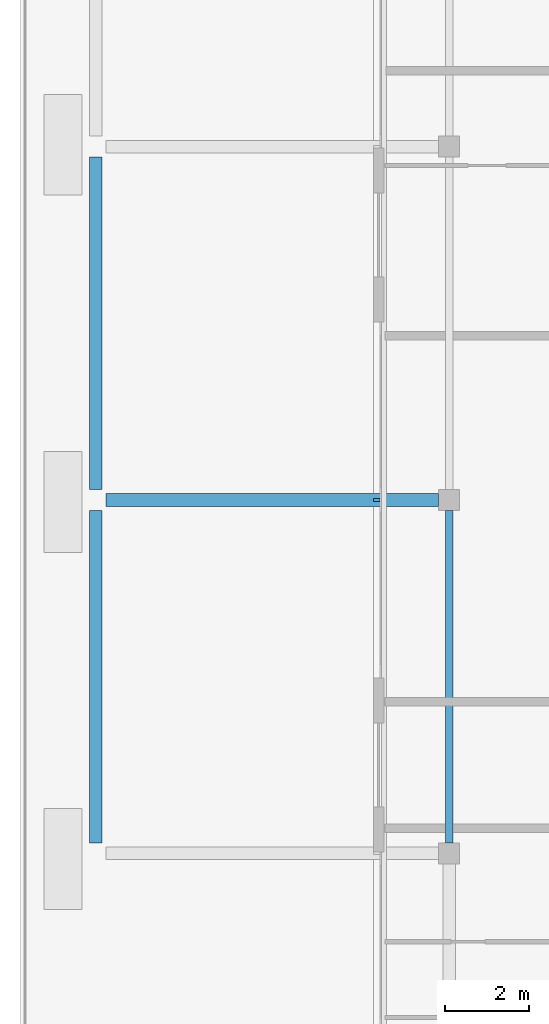
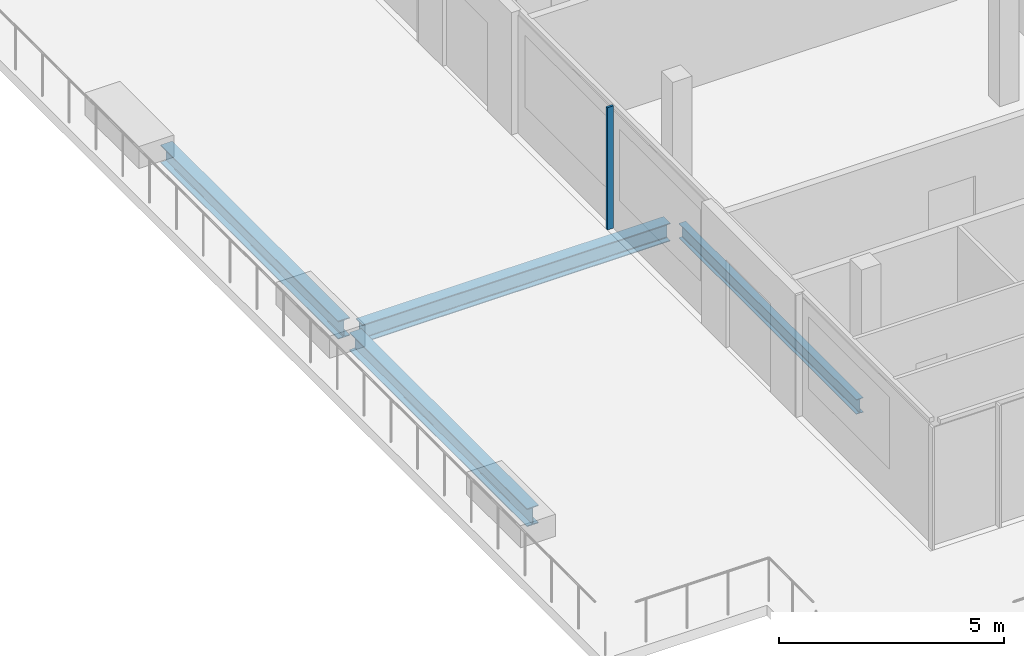
# One storey, part 3 of 29: 4 beams, 1 member, 1 element without a shape of its own.
"""IFC4 building model written with IfcOpenShell, lengths in metres."""

from ifc_helpers import new_model, si_unit, direction, frame, origin, origin_2d, place, context, subcontext, project, spatial, rectangle, i_section, extrude, material, material_profile, profile_set, type_object, element, aggregate, save


model = new_model("IFC4")

# Units and contexts
model_context = context("Model", 3, precision=1e-05, world=origin(), true_north=direction((0.0, 1.0)))
body_context = subcontext(model_context, "Body", "Model", "MODEL_VIEW")
ifc_project = project(units=[si_unit("LENGTHUNIT", "METRE"), si_unit("AREAUNIT", "SQUARE_METRE"), si_unit("VOLUMEUNIT", "CUBIC_METRE"), si_unit("PLANEANGLEUNIT", "RADIAN"), si_unit("MASSUNIT", "GRAM", prefix="KILO")], contexts=[model_context])

# Site, building, storey
site_placement = place(None, origin())
site = spatial("IfcSite", under=ifc_project, at=site_placement, CompositionType="ELEMENT")
building_placement = place(site_placement, origin())
building = spatial("IfcBuilding", under=site, at=building_placement, Name="Saffron Gate Tower", CompositionType="ELEMENT")
storey_placement = place(building_placement, frame((0.0, 0.0, 270.75)))
storey = spatial("IfcBuildingStorey", under=building, at=storey_placement, Name="L65", CompositionType="ELEMENT", Elevation=270.75)

# Beams
ifc_material_1 = material(Name="Structural steel S355", Category="steel")
ifc_material_profile_1 = material_profile(ifc_material_1, i_section(OverallWidth=0.179931640625, OverallDepth=0.39990234375, WebThickness=0.008544921875, FlangeThickness=0.013427734375, FilletRadius=0.02099609375, at=origin_2d()))
ifc_profile_set_1 = profile_set([ifc_material_profile_1], Name="Structural steel S355")
beam_type_1 = type_object("IfcBeamType", Name="B5 IPE 400", PredefinedType="SPANDREL", material=ifc_profile_set_1)
beam_1_placement = place(storey_placement, frame((58.199951171875, 40.449951171875, -0.47998046875), z_axis=(0.0, 1.0, 0.0), x_axis=(-1.0, 0.0, 0.0)))
element("IfcBeam", 1, at=beam_1_placement, inside=storey, type_object=beam_type_1, Name="B5 SPANDREL BEAM", PredefinedType="SPANDREL", context=body_context, shape_type="SweptSolid", body=[
    extrude(i_section(OverallWidth=0.179931640625, OverallDepth=0.39990234375, WebThickness=0.008544921875, FlangeThickness=0.013427734375, FilletRadius=0.02099609375, at=origin_2d()), origin(), (0.0, 0.0, 1.0), 7.900146484375),
])
ifc_material_profile_2 = material_profile(ifc_material_1, i_section(OverallWidth=0.300048828125, OverallDepth=0.489990234375, WebThickness=0.011962890625, FlangeThickness=0.02294921875, FilletRadius=0.027099609375, at=origin_2d()))
ifc_profile_set_2 = profile_set([ifc_material_profile_2], Name="Structural steel S355")
beam_type_2 = type_object("IfcBeamType", Name="B8 HEA 500", PredefinedType="BEAM", material=ifc_profile_set_2)
beam_2_placement = place(storey_placement, frame((49.800048828125, 40.449951171875, -0.52490234375), z_axis=(0.0, 1.0, 0.0), x_axis=(-1.0, 0.0, 0.0)))
element("IfcBeam", 2, at=beam_2_placement, inside=storey, type_object=beam_type_2, Name="B8 TERRACE BEAM", PredefinedType="BEAM", context=body_context, shape_type="SweptSolid", body=[
    extrude(i_section(OverallWidth=0.300048828125, OverallDepth=0.489990234375, WebThickness=0.011962890625, FlangeThickness=0.02294921875, FilletRadius=0.027099609375, at=origin_2d()), origin(), (0.0, 0.0, 1.0), 7.900146484375),
])
for number, where, z_axis, x_axis, name in (
    (3, (50.050048828125, 48.60009765625, -0.52490234375), (1.0, 0.0, 0.0), (0.0, 1.0, 0.0), "B8 TERRACE BEAM"),
    (4, (49.800048828125, 48.85009765625, -0.52490234375), (0.0, 1.0, 0.0), (-1.0, 0.0, 0.0), "B8 TERRACE BEAM"),
):
    element("IfcBeam", number, at=place(storey_placement, frame(where, z_axis=z_axis, x_axis=x_axis)), inside=storey, type_object=beam_type_2, Name=name, PredefinedType="BEAM", context=body_context, shape_type="SweptSolid", body=[
        extrude(i_section(OverallWidth=0.300048828125, OverallDepth=0.489990234375, WebThickness=0.011962890625, FlangeThickness=0.02294921875, FilletRadius=0.027099609375, at=origin_2d()), origin(), (0.0, 0.0, 1.0), 7.89990234375),
    ])

# Curtain wall, member
ifc_material_2 = material(Name="Aluminium, bronze anodised", Category="aluminium")
curtain_wall_type = type_object("IfcCurtainWallType", Name="CWS2 curtain wall side facades", PredefinedType="NOTDEFINED", material=ifc_material_2)
curtain_wall_placement = place(storey_placement, origin())
curtain_wall = element("IfcCurtainWall", 5, at=curtain_wall_placement, inside=storey, type_object=curtain_wall_type, Name="CWS2 run 10", PredefinedType="NOTDEFINED")
ifc_material_profile_3 = material_profile(ifc_material_2, rectangle(XDim=0.159912109375, YDim=0.06005859375, at=origin_2d()))
ifc_profile_set_3 = profile_set([ifc_material_profile_3], Name="Aluminium, bronze anodised")
member_type = type_object("IfcMemberType", Name="CWS2 mullion 60x160", PredefinedType="MULLION", material=ifc_profile_set_3)
member_placement = place(storey_placement, frame((56.47998046875, 48.60009765625, 0.0), z_axis=(0.0, 0.0, 1.0), x_axis=(1.0, 0.0, 0.0)))
member = element("IfcMember", 6, at=member_placement, type_object=member_type, Name="CWS2 mullion 4", PredefinedType="MULLION", context=body_context, shape_type="SweptSolid", body=[
    extrude(rectangle(XDim=0.159912109375, YDim=0.06005859375, at=origin_2d()), origin(), (0.0, 0.0, 1.0), 3.320068359375),
])
aggregate(curtain_wall, [member])

save(model, "model.ifc")
